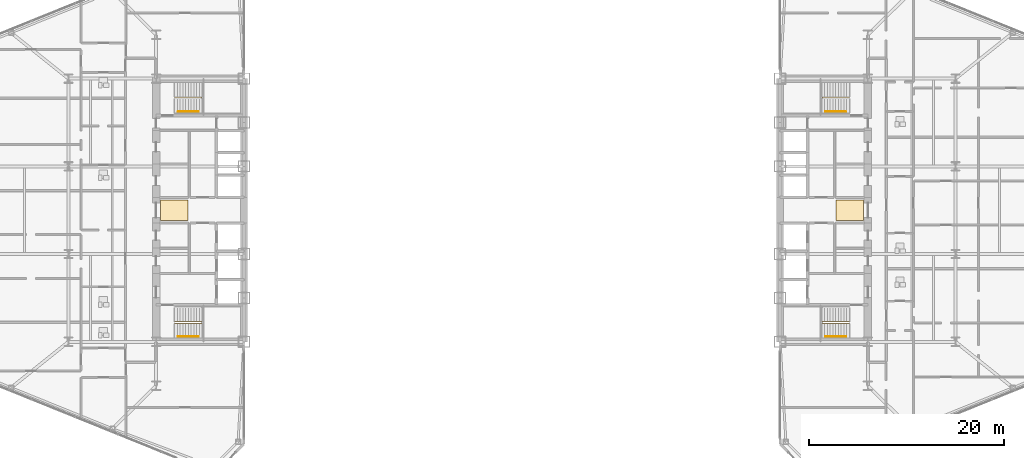
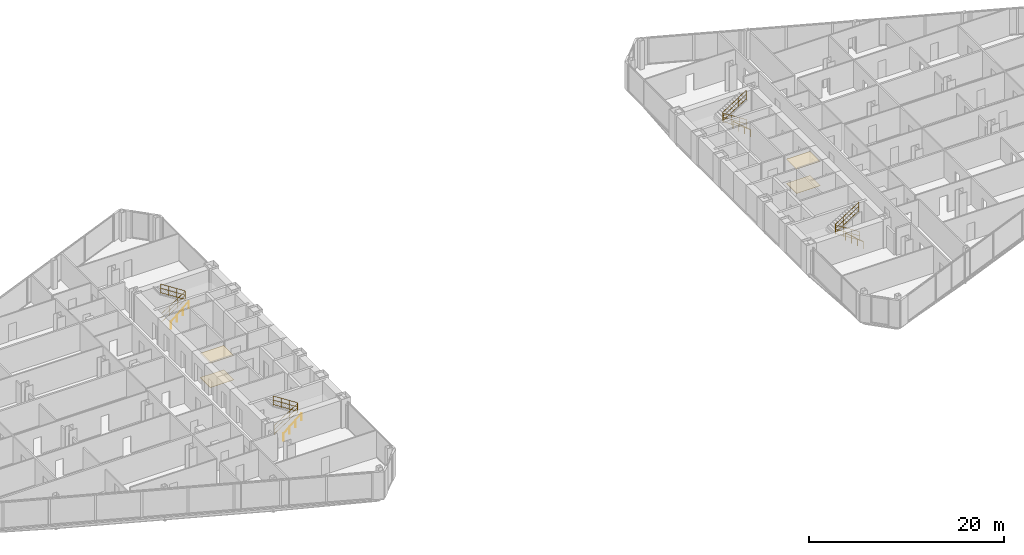
# One storey, part 24 of 25: 8 railings, 4 coverings.
"""IFC4 building model written with IfcOpenShell, lengths in metres."""

from ifc_helpers import new_model, si_unit, direction, frame, origin, origin_2d, place, context, subcontext, project, spatial, polyline, circle, outline, extrude, material, layer, layer_set, type_object, element, save


model = new_model("IFC4")

# Units and contexts
model_context = context("Model", 3, precision=1e-05, world=origin(), true_north=direction((0.0, 1.0)))
body_context = subcontext(model_context, "Body", "Model", "MODEL_VIEW")
ifc_project = project(units=[si_unit("LENGTHUNIT", "METRE"), si_unit("AREAUNIT", "SQUARE_METRE"), si_unit("VOLUMEUNIT", "CUBIC_METRE"), si_unit("PLANEANGLEUNIT", "RADIAN"), si_unit("MASSUNIT", "GRAM", prefix="KILO")], contexts=[model_context])

# Site, building, storey
site_placement = place(None, origin())
site = spatial("IfcSite", under=ifc_project, at=site_placement, CompositionType="ELEMENT")
building_placement = place(site_placement, origin())
building = spatial("IfcBuilding", under=site, at=building_placement, Name="Seokmaru Belvedere", CompositionType="ELEMENT")
storey_placement = place(building_placement, frame((0.0, 0.0, 29.699951171875)))
storey = spatial("IfcBuildingStorey", under=building, at=storey_placement, Name="L07", CompositionType="ELEMENT", Elevation=29.699951171875)

# Coverings
ifc_material_1 = material(Name="Engineered White Oak Timber", Category="wood")
ifc_layer_1 = layer(ifc_material_1, 0.02197265625)
ifc_layer_set_1 = layer_set([ifc_layer_1], Name="Engineered White Oak Timber")
covering_type_1 = type_object("IfcCoveringType", Name="Engineered Oak Residence Floor Finish 22", PredefinedType="FLOORING", material=ifc_layer_set_1)
covering_1_placement = place(storey_placement, origin())
element("IfcCovering", 1, at=covering_1_placement, inside=storey, type_object=covering_type_1, Name="L07 W Foyer Floor Finish", PredefinedType="FLOORING", context=body_context, shape_type="SweptSolid", body=[
    extrude(outline(polyline([(-36.050048828125, -1.050048828125), (-33.25, -1.050048828125), (-33.25, 1.050048828125), (-36.050048828125, 1.050048828125), (-36.050048828125, -1.050048828125)])), origin(), (0.0, 0.0, 1.0), 0.02197265625),
])
covering_2_placement = place(storey_placement, origin())
element("IfcCovering", 2, at=covering_2_placement, inside=storey, type_object=covering_type_1, Name="L07 E Foyer Floor Finish", PredefinedType="FLOORING", context=body_context, shape_type="SweptSolid", body=[
    extrude(outline(polyline([(33.25, -1.050048828125), (36.050048828125, -1.050048828125), (36.050048828125, 1.050048828125), (33.25, 1.050048828125), (33.25, -1.050048828125)])), origin(), (0.0, 0.0, 1.0), 0.02197265625),
])
ifc_material_2 = material(Name="Fire-Rated Gypsum Shaftwall")
ifc_layer_2 = layer(ifc_material_2, 0.02490234375)
ifc_layer_set_2 = layer_set([ifc_layer_2], Name="Fire-Rated Gypsum Shaftwall")
covering_type_2 = type_object("IfcCoveringType", Name="Perforated Acoustic Gypsum Suspended Ceiling 25", PredefinedType="CEILING", material=ifc_layer_set_2)
covering_3_placement = place(storey_placement, frame((0.0, 0.0, 3.030029296875)))
element("IfcCovering", 3, at=covering_3_placement, inside=storey, type_object=covering_type_2, Name="L07 W Lift Foyer Acoustic Ceiling", PredefinedType="CEILING", context=body_context, shape_type="SweptSolid", body=[
    extrude(outline(polyline([(-36.050048828125, -1.050048828125), (-33.25, -1.050048828125), (-33.25, 1.050048828125), (-36.050048828125, 1.050048828125), (-36.050048828125, -1.050048828125)])), origin(), (0.0, 0.0, 1.0), 0.02490234375),
])
covering_4_placement = place(storey_placement, frame((0.0, 0.0, 3.030029296875)))
element("IfcCovering", 4, at=covering_4_placement, inside=storey, type_object=covering_type_2, Name="L07 E Lift Foyer Acoustic Ceiling", PredefinedType="CEILING", context=body_context, shape_type="SweptSolid", body=[
    extrude(outline(polyline([(33.25, -1.050048828125), (36.050048828125, -1.050048828125), (36.050048828125, 1.050048828125), (33.25, 1.050048828125), (33.25, -1.050048828125)])), origin(), (0.0, 0.0, 1.0), 0.02490234375),
])

# Railings
ifc_material_3 = material(Name="Stainless Steel 316", Category="steel")
railing_type_1 = type_object("IfcRailingType", Name="Stainless Steel Wall and Flight Handrail 900", PredefinedType="HANDRAIL", material=ifc_material_3)
for number, where, name in (
    (5, (-34.25, -12.949951171875, 0.0), "L07 Stair ST-W1 Wall Handrail"),
    (6, (-34.25, 10.110107421875, 0.0), "L07 Stair ST-W2 Wall Handrail"),
):
    element("IfcRailing", number, at=place(storey_placement, frame(where)), inside=storey, type_object=railing_type_1, Name=name, PredefinedType="HANDRAIL", context=body_context, shape_type="SweptSolid", body=[
        extrude(circle(Radius=0.02392578125, at=origin_2d()), frame((0.0, 0.0, 0.8759765625), z_axis=(0.759262832861, 0.0, 0.650784104474), x_axis=(0.0, 1.0, 0.0)), (0.0, 0.0, 1.0), 2.765869140625),
        extrude(circle(Radius=0.02099609375, at=origin_2d()), origin(), (0.0, 0.0, 1.0), 0.851806640625),
        extrude(circle(Radius=0.02099609375, at=origin_2d()), frame((0.699951171875, 0.0, 0.60009765625)), (0.0, 0.0, 1.0), 0.851806640625),
        extrude(circle(Radius=0.02099609375, at=origin_2d()), frame((1.400146484375, 0.0, 1.199951171875)), (0.0, 0.0, 1.0), 0.851806640625),
        extrude(circle(Radius=0.02099609375, at=origin_2d()), frame((2.10009765625, 0.0, 1.800048828125)), (0.0, 0.0, 1.0), 0.851806640625),
    ])
for number, where, name in (
    (7, (34.25, -12.949951171875, 0.0), "L07 Stair ST-E1 Wall Handrail"),
    (8, (34.25, 10.110107421875, 0.0), "L07 Stair ST-E2 Wall Handrail"),
):
    element("IfcRailing", number, at=place(storey_placement, frame(where)), inside=storey, type_object=railing_type_1, Name=name, PredefinedType="HANDRAIL", context=body_context, shape_type="SweptSolid", body=[
        extrude(circle(Radius=0.02392578125, at=origin_2d()), frame((0.0, 0.0, 0.8759765625), z_axis=(-0.759262832861, 0.0, 0.650784104474), x_axis=(0.0, -1.0, 0.0)), (0.0, 0.0, 1.0), 2.765869140625),
        extrude(circle(Radius=0.02099609375, at=origin_2d()), origin(), (0.0, 0.0, 1.0), 0.851806640625),
        extrude(circle(Radius=0.02099609375, at=origin_2d()), frame((-0.699951171875, 0.0, 0.60009765625)), (0.0, 0.0, 1.0), 0.851806640625),
        extrude(circle(Radius=0.02099609375, at=origin_2d()), frame((-1.400146484375, 0.0, 1.199951171875)), (0.0, 0.0, 1.0), 0.851806640625),
        extrude(circle(Radius=0.02099609375, at=origin_2d()), frame((-2.10009765625, 0.0, 1.800048828125)), (0.0, 0.0, 1.0), 0.851806640625),
    ])
railing_type_2 = type_object("IfcRailingType", Name="Stair Well and Atrium Steel Guardrail 1200", PredefinedType="GUARDRAIL", material=ifc_material_3)
railing_1_placement = place(storey_placement, frame((-34.60009765625, -11.60009765625, 0.0)))
element("IfcRailing", 9, at=railing_1_placement, inside=storey, type_object=railing_type_2, Name="L07 Stair ST-W1 Inner Well Guardrail", PredefinedType="GUARDRAIL", context=body_context, shape_type="SweptSolid", body=[
    extrude(circle(Radius=0.02392578125, at=origin_2d()), frame((0.0, 0.0, 1.17578125), z_axis=(0.841176092368, 0.0, 0.540761298198), x_axis=(0.0, 1.0, 0.0)), (0.0, 0.0, 1.0), 3.32861328125),
    extrude(circle(Radius=0.02392578125, at=origin_2d()), frame((0.0, 0.0, 0.1201171875), z_axis=(0.841176092368, 0.0, 0.540761298198), x_axis=(0.0, 1.0, 0.0)), (0.0, 0.0, 1.0), 3.32861328125),
    extrude(circle(Radius=0.02392578125, at=origin_2d()), frame((0.0, 0.0, 0.659912109375), z_axis=(0.841176092368, 0.0, 0.540761298198), x_axis=(0.0, 1.0, 0.0)), (0.0, 0.0, 1.0), 3.32861328125),
    extrude(circle(Radius=0.02392578125, at=origin_2d()), frame((2.800048828125, 0.0, 2.97607421875), z_axis=(0.0, 1.0, 0.0), x_axis=(-1.0, 0.0, 0.0)), (0.0, 0.0, 1.0), 0.14013671875),
    extrude(circle(Radius=0.02392578125, at=origin_2d()), frame((2.800048828125, 0.0, 1.920166015625), z_axis=(0.0, 1.0, 0.0), x_axis=(-1.0, 0.0, 0.0)), (0.0, 0.0, 1.0), 0.14013671875),
    extrude(circle(Radius=0.02392578125, at=origin_2d()), frame((2.800048828125, 0.0, 2.4599609375), z_axis=(0.0, 1.0, 0.0), x_axis=(-1.0, 0.0, 0.0)), (0.0, 0.0, 1.0), 0.14013671875),
    extrude(circle(Radius=0.02392578125, at=origin_2d()), frame((2.800048828125, 0.14013671875, 2.97607421875), z_axis=(-0.841176092368, 0.0, 0.540761298198), x_axis=(0.0, -1.0, 0.0)), (0.0, 0.0, 1.0), 3.32861328125),
    extrude(circle(Radius=0.02392578125, at=origin_2d()), frame((2.800048828125, 0.14013671875, 1.920166015625), z_axis=(-0.841176092368, 0.0, 0.540761298198), x_axis=(0.0, -1.0, 0.0)), (0.0, 0.0, 1.0), 3.32861328125),
    extrude(circle(Radius=0.02392578125, at=origin_2d()), frame((2.800048828125, 0.14013671875, 2.4599609375), z_axis=(-0.841176092368, 0.0, 0.540761298198), x_axis=(0.0, -1.0, 0.0)), (0.0, 0.0, 1.0), 3.32861328125),
    extrude(circle(Radius=0.02099609375, at=origin_2d()), origin(), (0.0, 0.0, 1.0), 1.15185546875),
    extrude(circle(Radius=0.02099609375, at=origin_2d()), frame((0.933349609375, 0.0, 0.60009765625)), (0.0, 0.0, 1.0), 1.15185546875),
    extrude(circle(Radius=0.02099609375, at=origin_2d()), frame((1.86669921875, 0.0, 1.199951171875)), (0.0, 0.0, 1.0), 1.15185546875),
    extrude(circle(Radius=0.02099609375, at=origin_2d()), frame((2.800048828125, 0.0, 1.800048828125)), (0.0, 0.0, 1.0), 1.15185546875),
    extrude(circle(Radius=0.02099609375, at=origin_2d()), frame((2.800048828125, 0.14013671875, 1.800048828125)), (0.0, 0.0, 1.0), 1.15185546875),
    extrude(circle(Radius=0.02099609375, at=origin_2d()), frame((1.86669921875, 0.14013671875, 2.400146484375)), (0.0, 0.0, 1.0), 1.15185546875),
    extrude(circle(Radius=0.02099609375, at=origin_2d()), frame((0.933349609375, 0.14013671875, 3.0)), (0.0, 0.0, 1.0), 1.15185546875),
    extrude(circle(Radius=0.02099609375, at=origin_2d()), frame((0.0, 0.14013671875, 3.60009765625)), (0.0, 0.0, 1.0), 1.15185546875),
])
railing_2_placement = place(storey_placement, frame((-34.60009765625, 11.4599609375, 0.0)))
element("IfcRailing", 10, at=railing_2_placement, inside=storey, type_object=railing_type_2, Name="L07 Stair ST-W2 Inner Well Guardrail", PredefinedType="GUARDRAIL", context=body_context, shape_type="SweptSolid", body=[
    extrude(circle(Radius=0.02392578125, at=origin_2d()), frame((0.0, 0.0, 1.17578125), z_axis=(0.841176092368, 0.0, 0.540761298198), x_axis=(0.0, 1.0, 0.0)), (0.0, 0.0, 1.0), 3.32861328125),
    extrude(circle(Radius=0.02392578125, at=origin_2d()), frame((0.0, 0.0, 0.1201171875), z_axis=(0.841176092368, 0.0, 0.540761298198), x_axis=(0.0, 1.0, 0.0)), (0.0, 0.0, 1.0), 3.32861328125),
    extrude(circle(Radius=0.02392578125, at=origin_2d()), frame((0.0, 0.0, 0.659912109375), z_axis=(0.841176092368, 0.0, 0.540761298198), x_axis=(0.0, 1.0, 0.0)), (0.0, 0.0, 1.0), 3.32861328125),
    extrude(circle(Radius=0.02392578125, at=origin_2d()), frame((2.800048828125, 0.0, 2.97607421875), z_axis=(0.0, 1.0, 0.0), x_axis=(-1.0, 0.0, 0.0)), (0.0, 0.0, 1.0), 0.14013671875),
    extrude(circle(Radius=0.02392578125, at=origin_2d()), frame((2.800048828125, 0.0, 1.920166015625), z_axis=(0.0, 1.0, 0.0), x_axis=(-1.0, 0.0, 0.0)), (0.0, 0.0, 1.0), 0.14013671875),
    extrude(circle(Radius=0.02392578125, at=origin_2d()), frame((2.800048828125, 0.0, 2.4599609375), z_axis=(0.0, 1.0, 0.0), x_axis=(-1.0, 0.0, 0.0)), (0.0, 0.0, 1.0), 0.14013671875),
    extrude(circle(Radius=0.02392578125, at=origin_2d()), frame((2.800048828125, 0.14013671875, 2.97607421875), z_axis=(-0.841176092368, 0.0, 0.540761298198), x_axis=(0.0, -1.0, 0.0)), (0.0, 0.0, 1.0), 3.32861328125),
    extrude(circle(Radius=0.02392578125, at=origin_2d()), frame((2.800048828125, 0.14013671875, 1.920166015625), z_axis=(-0.841176092368, 0.0, 0.540761298198), x_axis=(0.0, -1.0, 0.0)), (0.0, 0.0, 1.0), 3.32861328125),
    extrude(circle(Radius=0.02392578125, at=origin_2d()), frame((2.800048828125, 0.14013671875, 2.4599609375), z_axis=(-0.841176092368, 0.0, 0.540761298198), x_axis=(0.0, -1.0, 0.0)), (0.0, 0.0, 1.0), 3.32861328125),
    extrude(circle(Radius=0.02099609375, at=origin_2d()), origin(), (0.0, 0.0, 1.0), 1.15185546875),
    extrude(circle(Radius=0.02099609375, at=origin_2d()), frame((0.933349609375, 0.0, 0.60009765625)), (0.0, 0.0, 1.0), 1.15185546875),
    extrude(circle(Radius=0.02099609375, at=origin_2d()), frame((1.86669921875, 0.0, 1.199951171875)), (0.0, 0.0, 1.0), 1.15185546875),
    extrude(circle(Radius=0.02099609375, at=origin_2d()), frame((2.800048828125, 0.0, 1.800048828125)), (0.0, 0.0, 1.0), 1.15185546875),
    extrude(circle(Radius=0.02099609375, at=origin_2d()), frame((2.800048828125, 0.14013671875, 1.800048828125)), (0.0, 0.0, 1.0), 1.15185546875),
    extrude(circle(Radius=0.02099609375, at=origin_2d()), frame((1.86669921875, 0.14013671875, 2.400146484375)), (0.0, 0.0, 1.0), 1.15185546875),
    extrude(circle(Radius=0.02099609375, at=origin_2d()), frame((0.933349609375, 0.14013671875, 3.0)), (0.0, 0.0, 1.0), 1.15185546875),
    extrude(circle(Radius=0.02099609375, at=origin_2d()), frame((0.0, 0.14013671875, 3.60009765625)), (0.0, 0.0, 1.0), 1.15185546875),
])
railing_3_placement = place(storey_placement, frame((34.60009765625, -11.60009765625, 0.0)))
element("IfcRailing", 11, at=railing_3_placement, inside=storey, type_object=railing_type_2, Name="L07 Stair ST-E1 Inner Well Guardrail", PredefinedType="GUARDRAIL", context=body_context, shape_type="SweptSolid", body=[
    extrude(circle(Radius=0.02392578125, at=origin_2d()), frame((0.0, 0.0, 1.17578125), z_axis=(-0.841176092368, 0.0, 0.540761298198), x_axis=(0.0, -1.0, 0.0)), (0.0, 0.0, 1.0), 3.32861328125),
    extrude(circle(Radius=0.02392578125, at=origin_2d()), frame((0.0, 0.0, 0.1201171875), z_axis=(-0.841176092368, 0.0, 0.540761298198), x_axis=(0.0, -1.0, 0.0)), (0.0, 0.0, 1.0), 3.32861328125),
    extrude(circle(Radius=0.02392578125, at=origin_2d()), frame((0.0, 0.0, 0.659912109375), z_axis=(-0.841176092368, 0.0, 0.540761298198), x_axis=(0.0, -1.0, 0.0)), (0.0, 0.0, 1.0), 3.32861328125),
    extrude(circle(Radius=0.02392578125, at=origin_2d()), frame((-2.800048828125, 0.0, 2.97607421875), z_axis=(0.0, 1.0, 0.0), x_axis=(-1.0, 0.0, 0.0)), (0.0, 0.0, 1.0), 0.14013671875),
    extrude(circle(Radius=0.02392578125, at=origin_2d()), frame((-2.800048828125, 0.0, 1.920166015625), z_axis=(0.0, 1.0, 0.0), x_axis=(-1.0, 0.0, 0.0)), (0.0, 0.0, 1.0), 0.14013671875),
    extrude(circle(Radius=0.02392578125, at=origin_2d()), frame((-2.800048828125, 0.0, 2.4599609375), z_axis=(0.0, 1.0, 0.0), x_axis=(-1.0, 0.0, 0.0)), (0.0, 0.0, 1.0), 0.14013671875),
    extrude(circle(Radius=0.02392578125, at=origin_2d()), frame((-2.800048828125, 0.14013671875, 2.97607421875), z_axis=(0.841176092368, 0.0, 0.540761298198), x_axis=(0.0, 1.0, 0.0)), (0.0, 0.0, 1.0), 3.32861328125),
    extrude(circle(Radius=0.02392578125, at=origin_2d()), frame((-2.800048828125, 0.14013671875, 1.920166015625), z_axis=(0.841176092368, 0.0, 0.540761298198), x_axis=(0.0, 1.0, 0.0)), (0.0, 0.0, 1.0), 3.32861328125),
    extrude(circle(Radius=0.02392578125, at=origin_2d()), frame((-2.800048828125, 0.14013671875, 2.4599609375), z_axis=(0.841176092368, 0.0, 0.540761298198), x_axis=(0.0, 1.0, 0.0)), (0.0, 0.0, 1.0), 3.32861328125),
    extrude(circle(Radius=0.02099609375, at=origin_2d()), origin(), (0.0, 0.0, 1.0), 1.15185546875),
    extrude(circle(Radius=0.02099609375, at=origin_2d()), frame((-0.933349609375, 0.0, 0.60009765625)), (0.0, 0.0, 1.0), 1.15185546875),
    extrude(circle(Radius=0.02099609375, at=origin_2d()), frame((-1.86669921875, 0.0, 1.199951171875)), (0.0, 0.0, 1.0), 1.15185546875),
    extrude(circle(Radius=0.02099609375, at=origin_2d()), frame((-2.800048828125, 0.0, 1.800048828125)), (0.0, 0.0, 1.0), 1.15185546875),
    extrude(circle(Radius=0.02099609375, at=origin_2d()), frame((-2.800048828125, 0.14013671875, 1.800048828125)), (0.0, 0.0, 1.0), 1.15185546875),
    extrude(circle(Radius=0.02099609375, at=origin_2d()), frame((-1.86669921875, 0.14013671875, 2.400146484375)), (0.0, 0.0, 1.0), 1.15185546875),
    extrude(circle(Radius=0.02099609375, at=origin_2d()), frame((-0.933349609375, 0.14013671875, 3.0)), (0.0, 0.0, 1.0), 1.15185546875),
    extrude(circle(Radius=0.02099609375, at=origin_2d()), frame((0.0, 0.14013671875, 3.60009765625)), (0.0, 0.0, 1.0), 1.15185546875),
])
railing_4_placement = place(storey_placement, frame((34.60009765625, 11.4599609375, 0.0)))
element("IfcRailing", 12, at=railing_4_placement, inside=storey, type_object=railing_type_2, Name="L07 Stair ST-E2 Inner Well Guardrail", PredefinedType="GUARDRAIL", context=body_context, shape_type="SweptSolid", body=[
    extrude(circle(Radius=0.02392578125, at=origin_2d()), frame((0.0, 0.0, 1.17578125), z_axis=(-0.841176092368, 0.0, 0.540761298198), x_axis=(0.0, -1.0, 0.0)), (0.0, 0.0, 1.0), 3.32861328125),
    extrude(circle(Radius=0.02392578125, at=origin_2d()), frame((0.0, 0.0, 0.1201171875), z_axis=(-0.841176092368, 0.0, 0.540761298198), x_axis=(0.0, -1.0, 0.0)), (0.0, 0.0, 1.0), 3.32861328125),
    extrude(circle(Radius=0.02392578125, at=origin_2d()), frame((0.0, 0.0, 0.659912109375), z_axis=(-0.841176092368, 0.0, 0.540761298198), x_axis=(0.0, -1.0, 0.0)), (0.0, 0.0, 1.0), 3.32861328125),
    extrude(circle(Radius=0.02392578125, at=origin_2d()), frame((-2.800048828125, 0.0, 2.97607421875), z_axis=(0.0, 1.0, 0.0), x_axis=(-1.0, 0.0, 0.0)), (0.0, 0.0, 1.0), 0.14013671875),
    extrude(circle(Radius=0.02392578125, at=origin_2d()), frame((-2.800048828125, 0.0, 1.920166015625), z_axis=(0.0, 1.0, 0.0), x_axis=(-1.0, 0.0, 0.0)), (0.0, 0.0, 1.0), 0.14013671875),
    extrude(circle(Radius=0.02392578125, at=origin_2d()), frame((-2.800048828125, 0.0, 2.4599609375), z_axis=(0.0, 1.0, 0.0), x_axis=(-1.0, 0.0, 0.0)), (0.0, 0.0, 1.0), 0.14013671875),
    extrude(circle(Radius=0.02392578125, at=origin_2d()), frame((-2.800048828125, 0.14013671875, 2.97607421875), z_axis=(0.841176092368, 0.0, 0.540761298198), x_axis=(0.0, 1.0, 0.0)), (0.0, 0.0, 1.0), 3.32861328125),
    extrude(circle(Radius=0.02392578125, at=origin_2d()), frame((-2.800048828125, 0.14013671875, 1.920166015625), z_axis=(0.841176092368, 0.0, 0.540761298198), x_axis=(0.0, 1.0, 0.0)), (0.0, 0.0, 1.0), 3.32861328125),
    extrude(circle(Radius=0.02392578125, at=origin_2d()), frame((-2.800048828125, 0.14013671875, 2.4599609375), z_axis=(0.841176092368, 0.0, 0.540761298198), x_axis=(0.0, 1.0, 0.0)), (0.0, 0.0, 1.0), 3.32861328125),
    extrude(circle(Radius=0.02099609375, at=origin_2d()), origin(), (0.0, 0.0, 1.0), 1.15185546875),
    extrude(circle(Radius=0.02099609375, at=origin_2d()), frame((-0.933349609375, 0.0, 0.60009765625)), (0.0, 0.0, 1.0), 1.15185546875),
    extrude(circle(Radius=0.02099609375, at=origin_2d()), frame((-1.86669921875, 0.0, 1.199951171875)), (0.0, 0.0, 1.0), 1.15185546875),
    extrude(circle(Radius=0.02099609375, at=origin_2d()), frame((-2.800048828125, 0.0, 1.800048828125)), (0.0, 0.0, 1.0), 1.15185546875),
    extrude(circle(Radius=0.02099609375, at=origin_2d()), frame((-2.800048828125, 0.14013671875, 1.800048828125)), (0.0, 0.0, 1.0), 1.15185546875),
    extrude(circle(Radius=0.02099609375, at=origin_2d()), frame((-1.86669921875, 0.14013671875, 2.400146484375)), (0.0, 0.0, 1.0), 1.15185546875),
    extrude(circle(Radius=0.02099609375, at=origin_2d()), frame((-0.933349609375, 0.14013671875, 3.0)), (0.0, 0.0, 1.0), 1.15185546875),
    extrude(circle(Radius=0.02099609375, at=origin_2d()), frame((0.0, 0.14013671875, 3.60009765625)), (0.0, 0.0, 1.0), 1.15185546875),
])

save(model, "model.ifc")
